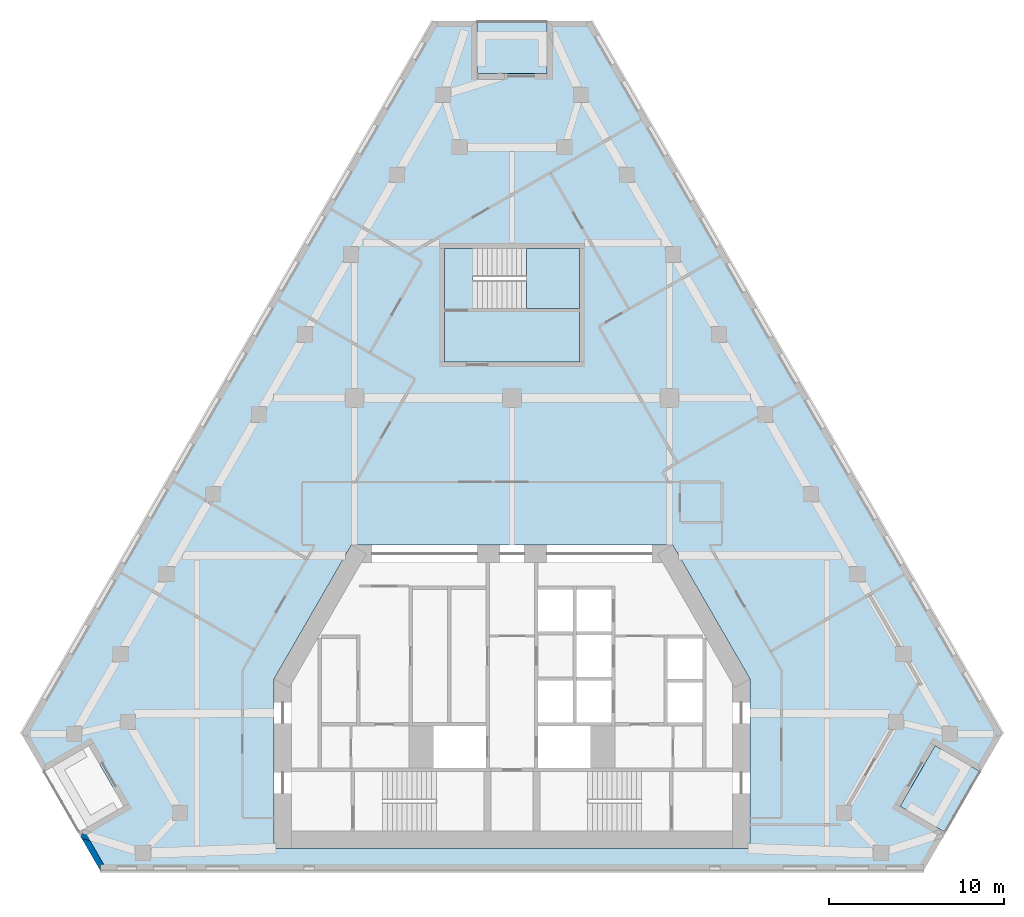
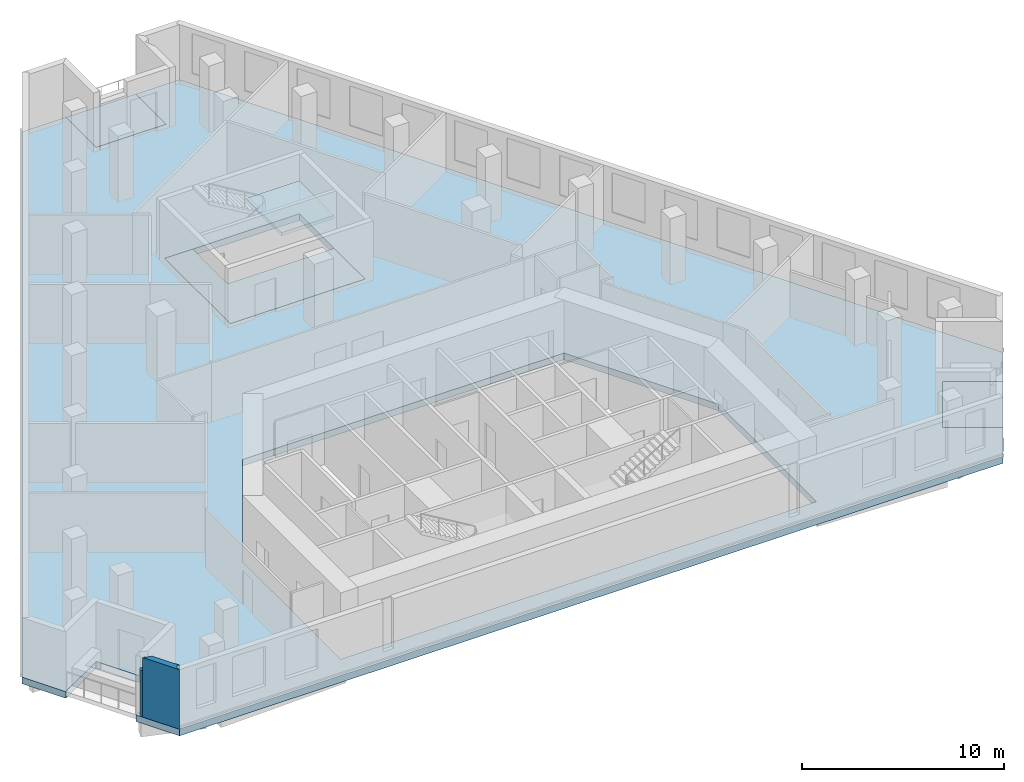
# One storey, part 2 of 9: 5 slabs, 2 walls, 1 element without a shape of its own.
"""IFC4 building model written with IfcOpenShell, lengths in metres."""

from ifc_helpers import new_model, si_unit, direction, frame, origin, place, context, subcontext, project, spatial, polyline, outline, extrude, material, layer, layer_set, type_object, element, aggregate, save


model = new_model("IFC4")

# Units and contexts
model_context = context("Model", 3, precision=1e-05, world=origin(), true_north=direction((0.0, 1.0)))
body_context = subcontext(model_context, "Body", "Model", "MODEL_VIEW")
ifc_project = project(units=[si_unit("LENGTHUNIT", "METRE"), si_unit("AREAUNIT", "SQUARE_METRE"), si_unit("VOLUMEUNIT", "CUBIC_METRE"), si_unit("PLANEANGLEUNIT", "RADIAN"), si_unit("MASSUNIT", "GRAM", prefix="KILO")], contexts=[model_context])

# Site, building, storey
site_placement = place(None, origin())
site = spatial("IfcSite", under=ifc_project, at=site_placement, CompositionType="ELEMENT")
building_placement = place(site_placement, origin())
building = spatial("IfcBuilding", under=site, at=building_placement, Name="Fogline Exchange Tower", CompositionType="ELEMENT")
storey_placement = place(building_placement, frame((0.0, 0.0, 182.10009765625)))
storey = spatial("IfcBuildingStorey", under=building, at=storey_placement, Name="L40", CompositionType="ELEMENT", Elevation=182.10009765625)

# Slabs
ifc_material_1 = material(Name="Concrete C40", Category="concrete")
ifc_layer_1 = layer(ifc_material_1, 0.25)
ifc_layer_set_1 = layer_set([ifc_layer_1], Name="DK1")
slab_type_1 = type_object("IfcSlabType", Name="DK1", PredefinedType="FLOOR", material=ifc_layer_set_1)
slab_1_placement = place(storey_placement, frame((0.0, 0.0, -0.25)))
element("IfcSlab", 1, at=slab_1_placement, inside=storey, type_object=slab_type_1, Name="Balcony L40 SE", PredefinedType="FLOOR", context=body_context, shape_type="SweptSolid", body=[
    extrude(outline(polyline([(24.78125, 2.1650390625), (26.78125, 5.629150390625), (24.18310546875, 7.129150390625), (22.18310546875, 3.6650390625), (24.78125, 2.1650390625)])), origin(), (0.0, 0.0, 1.0), 0.25),
])
slab_2_placement = place(storey_placement, frame((0.0, 0.0, -0.25)))
element("IfcSlab", 2, at=slab_2_placement, inside=storey, type_object=slab_type_1, Name="Balcony L40 N", PredefinedType="FLOOR", context=body_context, shape_type="SweptSolid", body=[
    extrude(outline(polyline([(2.0, 48.5517578125), (-2.0, 48.5517578125), (-2.0, 45.5517578125), (2.0, 45.5517578125), (2.0, 48.5517578125)])), origin(), (0.0, 0.0, 1.0), 0.25),
])
ifc_layer_2 = layer(ifc_material_1, 0.39990234375)
ifc_layer_set_2 = layer_set([ifc_layer_2], Name="S03")
slab_type_2 = type_object("IfcSlabType", Name="S03", PredefinedType="FLOOR", material=ifc_layer_set_2)
slab_3_placement = place(storey_placement, frame((0.0, 0.0, -0.400146484375)))
element("IfcSlab", 3, at=slab_3_placement, inside=storey, type_object=slab_type_2, Name="SLAB L40", PredefinedType="FLOOR", context=body_context, shape_type="SweptSolid", body=[
    extrude(outline(polyline([(-2.0, 48.5517578125), (-4.5, 48.5517578125), (-28.03125, 7.794189453125), (-26.78125, 5.629150390625), (-24.18310546875, 7.129150390625), (-22.18310546875, 3.6650390625), (-24.78125, 2.1650390625), (-23.53125, 0.0), (23.53125, 0.0), (24.78125, 2.1650390625), (22.18310546875, 3.6650390625), (24.18310546875, 7.129150390625), (26.78125, 5.629150390625), (28.03125, 7.794189453125), (4.5, 48.5517578125), (2.0, 48.5517578125), (2.0, 45.5517578125), (-2.0, 45.5517578125), (-2.0, 48.5517578125)]), holes=[polyline([(13.60009765625, 10.9453125), (13.60009765625, 1.25), (-13.60009765625, 1.25), (-13.60009765625, 10.9453125), (-9.1806640625, 18.60009765625), (9.1806640625, 18.60009765625), (13.60009765625, 10.9453125)]), polyline([(3.85009765625, 35.556884765625), (3.85009765625, 29.056884765625), (-3.85009765625, 29.056884765625), (-3.85009765625, 35.556884765625), (3.85009765625, 35.556884765625)])]), origin(), (0.0, 0.0, 1.0), 0.400146484375),
])
slab_4_placement = place(storey_placement, frame((0.0, 0.0, -0.400146484375)))
element("IfcSlab", 4, at=slab_4_placement, inside=storey, type_object=slab_type_2, Name="Stair enclosure floor slab", PredefinedType="FLOOR", context=body_context, shape_type="SweptSolid", body=[
    extrude(outline(polyline([(3.85009765625, 29.056884765625), (-3.85009765625, 29.056884765625), (-3.85009765625, 35.556884765625), (-2.239990234375, 35.556884765625), (-2.239990234375, 32.10693359375), (3.85009765625, 32.10693359375), (3.85009765625, 29.056884765625)])), origin(), (0.0, 0.0, 1.0), 0.400146484375),
])

# Stair, slab
stair_type = type_object("IfcStairType", Name="STR24-1667", PredefinedType="HALF_TURN_STAIR", material=ifc_material_1)
stair_placement = place(storey_placement, origin())
stair = element("IfcStair", 5, at=stair_placement, inside=storey, type_object=stair_type, Name="Stair ST3", PredefinedType="HALF_TURN_STAIR")
ifc_layer_3 = layer(ifc_material_1, 0.199951171875)
ifc_layer_set_3 = layer_set([ifc_layer_3], Name="SL200")
slab_type_3 = type_object("IfcSlabType", Name="SL200", PredefinedType="LANDING", material=ifc_layer_set_3)
slab_5_placement = place(storey_placement, frame((0.0, 0.0, 1.7998046875)))
slab_5 = element("IfcSlab", 6, at=slab_5_placement, type_object=slab_type_3, Name="ST3 landing 1", PredefinedType="LANDING", context=body_context, shape_type="SweptSolid", body=[
    extrude(outline(polyline([(0.830078125, 32.10693359375), (3.85009765625, 32.10693359375), (3.85009765625, 35.556884765625), (0.830078125, 35.556884765625), (0.830078125, 32.10693359375)])), origin(), (0.0, 0.0, 1.0), 0.2001953125),
])
aggregate(stair, [slab_5])

# Walls
ifc_material_2 = material(Name="Brick masonry", Category="masonry")
ifc_layer_4 = layer(ifc_material_2, 0.340087890625)
ifc_layer_set_4 = layer_set([ifc_layer_4], Name="FW1")
wall_type = type_object("IfcWallType", Name="FW1", PredefinedType="SOLIDWALL", material=ifc_layer_set_4)
wall_1_placement = place(storey_placement, origin())
element("IfcWall", 7, at=wall_1_placement, inside=storey, type_object=wall_type, Name="Brick wall L40 SW-c2", PredefinedType="SOLIDWALL", context=body_context, shape_type="SweptSolid", body=[
    extrude(outline(polyline([(-24.64501953125, 1.927734375), (-24.586669921875, 2.113525390625), (-24.31640625, 2.041015625), (-24.110107421875, 1.683837890625), (-24.591064453125, 1.83447265625), (-24.64501953125, 1.927734375)])), origin(), (0.0, 0.0, 1.0), 2.7998046875),
])
wall_2_placement = place(storey_placement, origin())
element("IfcWall", 8, at=wall_2_placement, inside=storey, type_object=wall_type, Name="Brick wall L40 SW-c2", PredefinedType="SOLIDWALL", context=body_context, shape_type="SweptSolid", body=[
    extrude(outline(polyline([(-23.53076171875, 0.33935546875), (-23.53076171875, -0.0009765625), (-23.53125, -0.001220703125), (-24.591064453125, 1.83447265625), (-24.110107421875, 1.683837890625), (-23.333984375, 0.33935546875), (-23.53076171875, 0.33935546875)])), origin(), (0.0, 0.0, 1.0), 3.599853515625),
])

save(model, "model.ifc")
